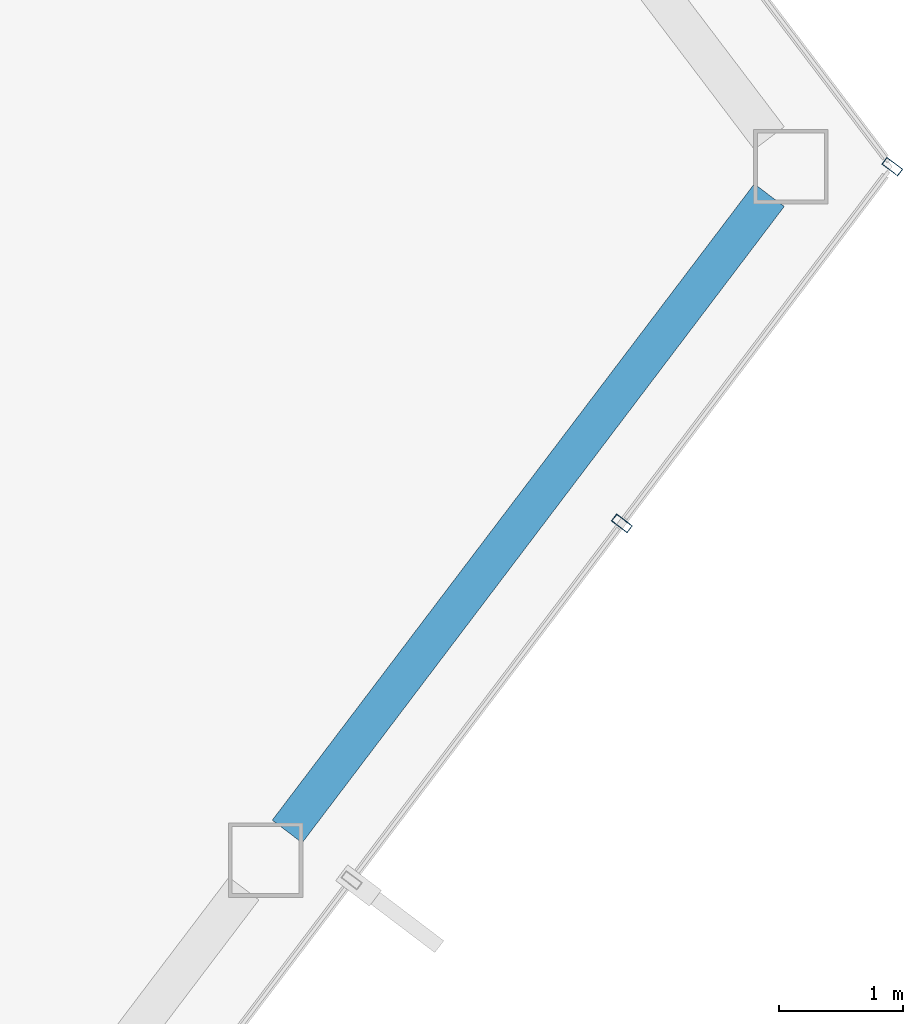
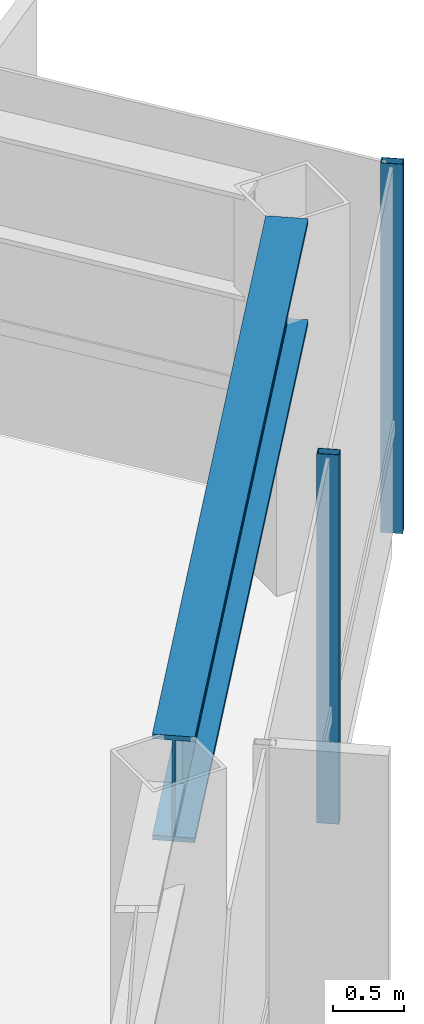
# One storey, part 18 of 25: 2 members, 1 beam, 1 element without a shape of its own.
"""IFC4 building model written with IfcOpenShell, lengths in metres."""

from ifc_helpers import new_model, si_unit, direction, frame, origin, origin_2d, place, context, subcontext, project, spatial, hollow_rectangle, i_section, extrude, material, layer, layer_set, material_profile, profile_set, type_object, element, aggregate, save


model = new_model("IFC4")

# Units and contexts
model_context = context("Model", 3, precision=1e-05, world=origin(), true_north=direction((0.0, 1.0)))
body_context = subcontext(model_context, "Body", "Model", "MODEL_VIEW")
ifc_project = project(units=[si_unit("LENGTHUNIT", "METRE"), si_unit("AREAUNIT", "SQUARE_METRE"), si_unit("VOLUMEUNIT", "CUBIC_METRE"), si_unit("PLANEANGLEUNIT", "RADIAN"), si_unit("MASSUNIT", "GRAM", prefix="KILO")], contexts=[model_context])

# Site, building, storey
site_placement = place(None, origin())
site = spatial("IfcSite", under=ifc_project, at=site_placement, CompositionType="ELEMENT")
building_placement = place(site_placement, origin())
building = spatial("IfcBuilding", under=site, at=building_placement, Name="Zarrinselat Tower", CompositionType="ELEMENT")
storey_placement = place(building_placement, frame((0.0, 0.0, 208.760009765625)))
storey = spatial("IfcBuildingStorey", under=building, at=storey_placement, Name="L51", CompositionType="ELEMENT", Elevation=208.760009765625)

# Beam
ifc_material_1 = material(Name="Steel S460M", Category="steel")
ifc_material_profile_1 = material_profile(ifc_material_1, i_section(OverallWidth=0.302001953125, OverallDepth=0.909912109375, WebThickness=0.02099609375, FlangeThickness=0.0400390625, at=origin_2d()), Name="HEM 900")
ifc_profile_set_1 = profile_set([ifc_material_profile_1], Name="Steel S460M")
beam_type = type_object("IfcBeamType", Name="BM-HEM900", PredefinedType="BEAM", material=ifc_profile_set_1)
beam_placement = place(storey_placement, frame((57.380126953125, 35.52783203125, 2.72509765625), z_axis=(0.603860615044, 0.797089930684, 0.0), x_axis=(-0.797089930684, 0.603860615044, 0.0)))
element("IfcBeam", 1, at=beam_placement, inside=storey, type_object=beam_type, Name="L51 Perimeter Spandrel Girder SP14", PredefinedType="BEAM", context=body_context, shape_type="SweptSolid", body=[
    extrude(i_section(OverallWidth=0.302001953125, OverallDepth=0.909912109375, WebThickness=0.02099609375, FlangeThickness=0.0400390625, at=origin_2d()), origin(), (0.0, 0.0, 1.0), 6.423583984375),
])

# Curtain wall, members
ifc_material_2 = material(Name="Extruded Aluminium Alloy EN AW-6063 T6", Category="aluminium")
ifc_layer = layer(ifc_material_2, 0.169921875)
ifc_layer_set = layer_set([ifc_layer], Name="Extruded Aluminium Alloy EN AW-6063 T6")
curtain_wall_type = type_object("IfcCurtainWallType", Name="CWS-RES", PredefinedType="NOTDEFINED", material=ifc_layer_set)
curtain_wall_placement = place(storey_placement, origin())
curtain_wall = element("IfcCurtainWall", 2, at=curtain_wall_placement, inside=storey, type_object=curtain_wall_type, Name="L51 Unitised Curtain Wall CW-L51-E05", PredefinedType="NOTDEFINED")
ifc_material_3 = material(Name="Extruded Aluminium Alloy EN AW-6063 T6", Category="aluminium")
ifc_material_profile_2 = material_profile(ifc_material_3, hollow_rectangle(XDim=0.070068359375, YDim=0.159912109375, WallThickness=0.00390625, at=origin_2d()), Name="RHS 160x70x4")
ifc_profile_set_2 = profile_set([ifc_material_profile_2], Name="Extruded Aluminium Alloy EN AW-6063 T6")
member_type = type_object("IfcMemberType", Name="MEM-CW-MUL2", PredefinedType="MULLION", material=ifc_profile_set_2)
member_1_placement = place(storey_placement, frame((60.073486328125, 38.006591796875, 0.0), z_axis=(0.0, 0.0, 1.0), x_axis=(0.603859492128, 0.797090781384, 0.0)))
member_1 = element("IfcMember", 3, at=member_1_placement, type_object=member_type, Name="CW-L51-E05 Mullion 8", PredefinedType="MULLION", context=body_context, shape_type="SweptSolid", body=[
    extrude(hollow_rectangle(XDim=0.070068359375, YDim=0.159912109375, WallThickness=0.00390625, at=origin_2d()), origin(), (0.0, 0.0, 1.0), 3.179931640625),
])
member_2_placement = place(storey_placement, frame((62.248291015625, 40.877685546875, 0.0), z_axis=(0.0, 0.0, 1.0), x_axis=(0.603859492128, 0.797090781384, 0.0)))
member_2 = element("IfcMember", 4, at=member_2_placement, type_object=member_type, Name="CW-L51-E05 Mullion 9", PredefinedType="MULLION", context=body_context, shape_type="SweptSolid", body=[
    extrude(hollow_rectangle(XDim=0.070068359375, YDim=0.159912109375, WallThickness=0.00390625, at=origin_2d()), origin(), (0.0, 0.0, 1.0), 3.179931640625),
])
aggregate(curtain_wall, [member_1, member_2])

save(model, "model.ifc")
